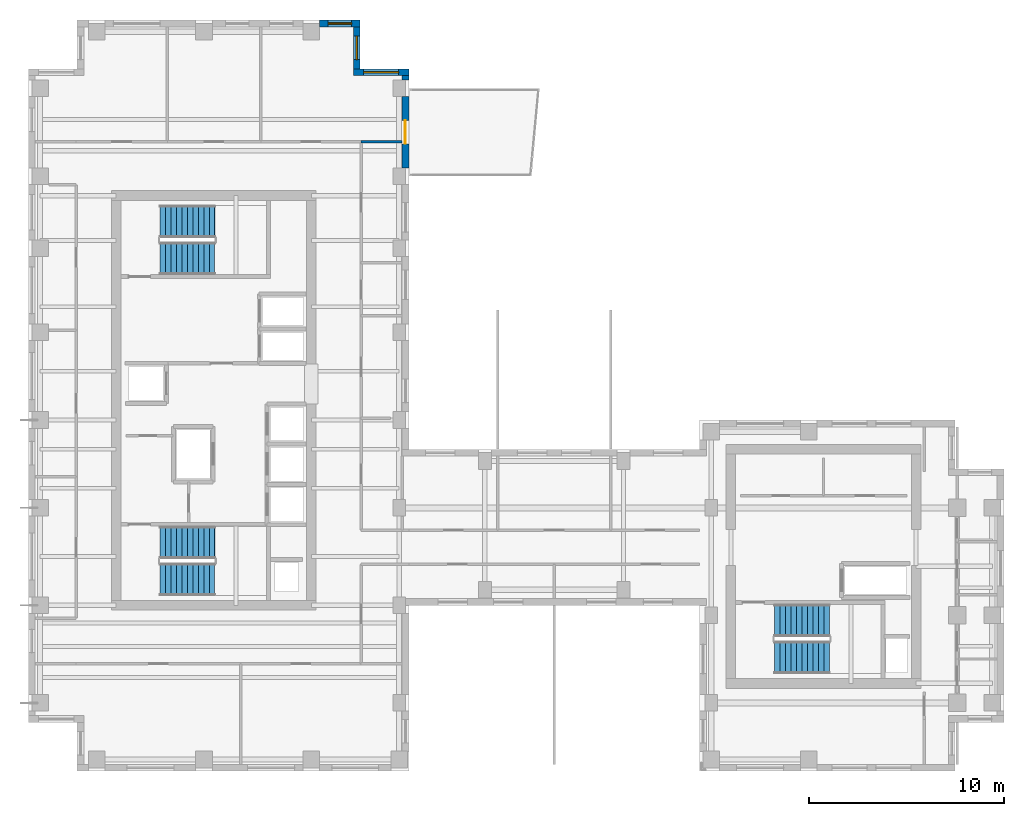
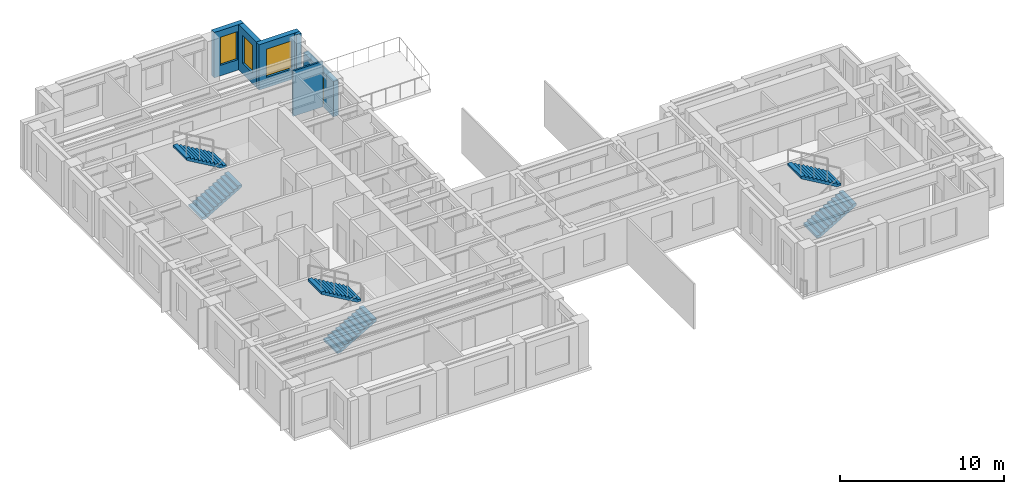
# One storey, part 8 of 10: 6 stair flights, 6 walls, 3 windows, 1 door, 4 openings, 3 elements without a shape of their own.
"""IFC4 building model written with IfcOpenShell, lengths in metres."""

import ifcopenshell
import ifcopenshell.guid

model = None  # the IFC model being written
_history = None  # IfcOwnerHistory: only IFC2X3 demands one
_inside = {}  # id of a spatial element -> (the spatial element, [elements in it])
_under = {}  # id of a project, library or spatial element -> (it, [spatial elements below it])
_declared = {}  # id of a project -> (the project, [libraries it declares])
_typed = {}  # id of a type object -> (the type object, [elements of that type])
_made_of = {}  # id of a material, layer set ... -> (it, [elements and type objects made of it])


def new_model(schema):
    """Start an empty IFC model of exactly this schema.

    Asked for "IFC4X3", IfcOpenShell would pick the latest addendum, in which some entities
    have other attributes; the version numbers below select the first issue.
    IFC2X3 requires an IfcOwnerHistory on every rooted entity: one is made here for all.
    """
    global model, _history
    if schema == "IFC4X3":
        model = ifcopenshell.file(schema_version=(4, 3, 0, 0))
    else:
        model = ifcopenshell.file(schema=schema)
    _inside.clear()
    _under.clear()
    _declared.clear()
    _typed.clear()
    _made_of.clear()
    _history = None
    if model.schema == "IFC2X3":
        org = make("IfcOrganization", Name="unknown")
        user = make(
            "IfcPersonAndOrganization",
            ThePerson=make("IfcPerson", FamilyName="unknown"),
            TheOrganization=org,
        )
        app = make(
            "IfcApplication",
            ApplicationDeveloper=org,
            Version="unknown",
            ApplicationFullName="unknown",
            ApplicationIdentifier="unknown",
        )
        _history = make(
            "IfcOwnerHistory",
            OwningUser=user,
            OwningApplication=app,
            ChangeAction="ADDED",
            CreationDate=0,
        )
    return model


def make(cls, **values):
    """One entity of the class cls with the attributes given. An attribute that is None is left unset."""
    return model.create_entity(
        cls, **{name: value for name, value in values.items() if value is not None}
    )


def rooted(cls, **values):
    """An entity with a GlobalId (a new one), such as an element, a storey or a relation."""
    return make(cls, GlobalId=ifcopenshell.guid.new(), OwnerHistory=_history, **values)


def si_unit(unit_type, name, prefix=None):
    """IfcSIUnit, for example si_unit("LENGTHUNIT", "METRE", prefix="MILLI")."""
    return make("IfcSIUnit", UnitType=unit_type, Prefix=prefix, Name=name)


def assignment(units):
    """IfcUnitAssignment: the units of a project."""
    return None if units is None else make("IfcUnitAssignment", Units=units)


def point(xyz):
    """IfcCartesianPoint."""
    return None if xyz is None else make("IfcCartesianPoint", Coordinates=xyz)


def direction(xyz):
    """IfcDirection."""
    return None if xyz is None else make("IfcDirection", DirectionRatios=xyz)


def frame(location, z_axis=None, x_axis=None):
    """IfcAxis2Placement3D, a coordinate frame: its origin and axes. An axis left out is left unset."""
    return make(
        "IfcAxis2Placement3D",
        Location=point(location),
        Axis=direction(z_axis),
        RefDirection=direction(x_axis),
    )


def frame_2d(location, x_axis=None):
    """IfcAxis2Placement2D, a coordinate frame in the plane: its origin and x axis."""
    return make(
        "IfcAxis2Placement2D", Location=point(location), RefDirection=direction(x_axis)
    )


def origin():
    """The frame at (0, 0, 0) with its axes left unset."""
    return frame((0.0, 0.0, 0.0))


def place(relative_to, where):
    """IfcLocalPlacement: puts the frame where relative to a parent placement (None: the world)."""
    return make(
        "IfcLocalPlacement", PlacementRelTo=relative_to, RelativePlacement=where
    )


def context(
    kind, dimensions, precision=None, world=None, true_north=None, identifier=None
):
    """IfcGeometricRepresentationContext, for example the 3D "Model" context."""
    return make(
        "IfcGeometricRepresentationContext",
        ContextIdentifier=identifier,
        ContextType=kind,
        CoordinateSpaceDimension=dimensions,
        Precision=precision,
        WorldCoordinateSystem=world,
        TrueNorth=true_north,
    )


def subcontext(parent, identifier, kind, view, scale=None):
    """IfcGeometricRepresentationSubContext, for example "Body" below "Model"."""
    return make(
        "IfcGeometricRepresentationSubContext",
        ContextIdentifier=identifier,
        ContextType=kind,
        ParentContext=parent,
        TargetScale=scale,
        TargetView=view,
    )


def project(units=None, contexts=None):
    """IfcProject with its units and contexts."""
    return rooted(
        "IfcProject",
        Name="project",
        RepresentationContexts=contexts,
        UnitsInContext=assignment(units),
    )


def spatial(cls, under=None, at=None, **own):
    """A site, building, storey or space (cls), placed at a placement, below another one or the project."""
    s = rooted(cls, ObjectPlacement=at, **own)
    if under is not None:
        _under.setdefault(under.id(), (under, []))[1].append(s)
    return s


def polyline(points):
    """IfcPolyline through the points."""
    return make("IfcPolyline", Points=[point(p) for p in points])


def profile(cls, at=None, kind="AREA", **sizes):
    """A parametric profile (cls). Its sizes go by their IFC names, for example OverallWidth=200.0."""
    return make(cls, ProfileType=kind, Position=at, **sizes)


def rectangle(**sizes):
    """IfcRectangleProfileDef."""
    return profile("IfcRectangleProfileDef", **sizes)


def outline(outer, holes=None, kind="AREA"):
    """IfcArbitraryClosedProfileDef: a profile drawn as a closed curve; with holes, ...WithVoids."""
    if holes is None:
        return make("IfcArbitraryClosedProfileDef", ProfileType=kind, OuterCurve=outer)
    return make(
        "IfcArbitraryProfileDefWithVoids",
        ProfileType=kind,
        OuterCurve=outer,
        InnerCurves=holes,
    )


def extrude(swept, where, along, depth):
    """IfcExtrudedAreaSolid: the profile swept, set in the frame where, extruded along a direction by depth."""
    return make(
        "IfcExtrudedAreaSolid",
        SweptArea=swept,
        Position=where,
        ExtrudedDirection=direction(along),
        Depth=depth,
    )


def shape(context_of_items, identifier, shape_type, items):
    """IfcShapeRepresentation: the items that make up one representation, for example the "Body"."""
    return make(
        "IfcShapeRepresentation",
        ContextOfItems=context_of_items,
        RepresentationIdentifier=identifier,
        RepresentationType=shape_type,
        Items=items,
    )


def source(mapping_origin, context_of_items, identifier, shape_type, items):
    """IfcRepresentationMap: a shape defined once, which mapped items show again and again."""
    return make(
        "IfcRepresentationMap",
        MappingOrigin=mapping_origin,
        MappedRepresentation=shape(context_of_items, identifier, shape_type, items),
    )


def transform(
    local_origin,
    x_axis=None,
    y_axis=None,
    z_axis=None,
    scale=None,
    scale2=None,
    scale3=None,
    uniform=True,
):
    """IfcCartesianTransformationOperator3D, or its non-uniform kind. x_axis, y_axis, z_axis: its Axis1, 2, 3."""
    if uniform:
        return make(
            "IfcCartesianTransformationOperator3D",
            Axis1=direction(x_axis),
            Axis2=direction(y_axis),
            LocalOrigin=point(local_origin),
            Scale=scale,
            Axis3=direction(z_axis),
        )
    return make(
        "IfcCartesianTransformationOperator3DnonUniform",
        Axis1=direction(x_axis),
        Axis2=direction(y_axis),
        LocalOrigin=point(local_origin),
        Scale=scale,
        Axis3=direction(z_axis),
        Scale2=scale2,
        Scale3=scale3,
    )


def mapped(mapping_source, mapping_target):
    """IfcMappedItem: shows the shape of a source again, moved by a transform."""
    return make(
        "IfcMappedItem", MappingSource=mapping_source, MappingTarget=mapping_target
    )


def material(Name=None, Category=None):
    """IfcMaterial."""
    return make("IfcMaterial", Name=Name, Category=Category)


def layer(
    of_material, thickness, ventilated=None, Name=None, Category=None, Priority=None
):
    """IfcMaterialLayer: one layer of a wall or slab, of a material (None: an air gap)."""
    return make(
        "IfcMaterialLayer",
        Material=of_material,
        LayerThickness=thickness,
        IsVentilated=ventilated,
        Name=Name,
        Category=Category,
        Priority=Priority,
    )


def layer_set(layers, Name=None):
    """IfcMaterialLayerSet."""
    return make("IfcMaterialLayerSet", MaterialLayers=layers, LayerSetName=Name)


def made_of(thing, what):
    """Note that an element or type object is made of a material, layer set ...; save() writes the relation."""
    if what is not None:
        _made_of.setdefault(what.id(), (what, []))[1].append(thing)
    return thing


def type_object(cls, material=None, **own):
    """A type object (cls), such as IfcWallType, which elements share."""
    return made_of(rooted(cls, **own), material)


def element(
    cls,
    number,
    at=None,
    inside=None,
    cuts=None,
    type_object=None,
    material=None,
    context=None,
    identifier="Body",
    shape_type=None,
    held_by="IfcProductDefinitionShape",
    body=None,
    shapes=None,
    **own,
):
    """One element of the class cls, such as IfcWall. Its Tag is "e" and its number.

    at: its placement. inside: the storey or other place that contains it. cuts: it is an
    opening in that element (IfcRelVoidsElement). A single representation is given by context,
    identifier, shape_type and body (its items); several are given by shapes. held_by: the class
    of the entity that holds the representations. save() writes the other relations.
    """
    e = rooted(cls, Tag="e%d" % number, ObjectPlacement=at, **own)
    if body is not None:
        shapes = [shape(context, identifier, shape_type, body)]
    if shapes is not None:
        e.Representation = make(held_by, Representations=shapes)
    if inside is not None:
        _inside.setdefault(inside.id(), (inside, []))[1].append(e)
    if cuts is not None:
        rooted(
            "IfcRelVoidsElement", RelatingBuildingElement=cuts, RelatedOpeningElement=e
        )
    if type_object is not None:
        _typed.setdefault(type_object.id(), (type_object, []))[1].append(e)
    return made_of(e, material)


def fill(opening, filler):
    """IfcRelFillsElement: the door or window that sits in an opening."""
    return rooted(
        "IfcRelFillsElement",
        RelatingOpeningElement=opening,
        RelatedBuildingElement=filler,
    )


def aggregate(whole, parts):
    """IfcRelAggregates: a whole, such as a stair, and the parts it consists of."""
    return rooted("IfcRelAggregates", RelatingObject=whole, RelatedObjects=parts)


def save(model, path):
    """Write the relations noted so far, then the file.

    IfcRelAggregates (storeys below a building ...), IfcRelContainedInSpatialStructure (elements
    in a storey), IfcRelDefinesByType, IfcRelAssociatesMaterial and IfcRelDeclares: one each for
    every whole, place, type object, material and project.
    """
    for whole, parts in _under.values():
        aggregate(whole, parts)
    for where, things in _inside.values():
        rooted(
            "IfcRelContainedInSpatialStructure",
            RelatedElements=things,
            RelatingStructure=where,
        )
    for kind, things in _typed.values():
        rooted("IfcRelDefinesByType", RelatedObjects=things, RelatingType=kind)
    for what, things in _made_of.values():
        rooted("IfcRelAssociatesMaterial", RelatedObjects=things, RelatingMaterial=what)
    for by, libraries in _declared.values():
        rooted("IfcRelDeclares", RelatingContext=by, RelatedDefinitions=libraries)
    model.write(path)


model = new_model("IFC4")

# Units and contexts
model_context = context("Model", 3, precision=1e-05, world=origin(), true_north=direction((0.0, 1.0)))
body_context = subcontext(model_context, "Body", "Model", "MODEL_VIEW")
ifc_project = project(units=[si_unit("LENGTHUNIT", "METRE"), si_unit("AREAUNIT", "SQUARE_METRE"), si_unit("VOLUMEUNIT", "CUBIC_METRE"), si_unit("PLANEANGLEUNIT", "RADIAN"), si_unit("MASSUNIT", "GRAM", prefix="KILO")], contexts=[model_context])

# Site, building, storey
site_placement = place(None, origin())
site = spatial("IfcSite", under=ifc_project, at=site_placement, CompositionType="ELEMENT")
building_placement = place(site_placement, origin())
building = spatial("IfcBuilding", under=site, at=building_placement, Name="Kharzan Plaza Tower", CompositionType="ELEMENT")
storey_placement = place(building_placement, frame((0.0, 0.0, 237.60009765625)))
storey = spatial("IfcBuildingStorey", under=building, at=storey_placement, Name="L64", CompositionType="ELEMENT", Elevation=237.60009765625)

# Wall, opening, door
ifc_material_1 = material(Name="Concrete C40/50", Category="concrete")
ifc_layer_1 = layer(ifc_material_1, 0.35009765625)
ifc_layer_set_1 = layer_set([ifc_layer_1], Name="Concrete C40/50")
wall_type_1 = type_object("IfcWallType", Name="WL-EXT-MAS-Z4", PredefinedType="SOLIDWALL", material=ifc_layer_set_1)
wall_1_placement = place(storey_placement, frame((19.324951171875, 30.923095703125, 0.0), z_axis=(0.0, 0.0, 1.0), x_axis=(0.0, 1.0, 0.0)))
wall_1 = element("IfcWall", 1, at=wall_1_placement, inside=storey, type_object=wall_type_1, Name="L64 Masonry-Frame Exterior Wall 05", PredefinedType="SOLIDWALL", context=body_context, shape_type="SweptSolid", body=[
    extrude(rectangle(XDim=3.65380859375, YDim=0.35009765625, at=frame_2d((1.826904296875, 0.0))), origin(), (0.0, 0.0, 1.0), 2.618896484375),
])
opening_1_placement = place(wall_1_placement, frame((1.22705078125, 0.0, 0.0)))
opening_1 = element("IfcOpeningElement", 2, at=opening_1_placement, cuts=wall_1, Name="Opening ED3", PredefinedType="OPENING", context=body_context, shape_type="SweptSolid", body=[
    extrude(rectangle(XDim=1.199951171875, YDim=2.14990234375, at=frame_2d((0.60009765625, 1.074951171875))), frame((0.0, 0.18505859375, 0.0), z_axis=(0.0, -1.0, 0.0), x_axis=(1.0, 0.0, 0.0)), (0.0, 0.0, 1.0), 0.3701171875),
])
ifc_material_2 = material(Name="Thermally Broken Anodized Bronze Aluminium", Category="aluminium")
door_type = type_object("IfcDoorType", Name="DR-EXT-TRAY-1200", OperationType="SINGLE_SWING_LEFT", PredefinedType="DOOR", material=ifc_material_2)
shared_shape_1 = source(origin(), body_context, "Body", "SweptSolid", [
    extrude(rectangle(XDim=1.199951171875, YDim=2.14990234375, at=frame_2d((0.60009765625, 1.074951171875))), frame((0.0, 0.02490234375, 0.0), z_axis=(0.0, -1.0, 0.0), x_axis=(1.0, 0.0, 0.0)), (0.0, 0.0, 1.0), 0.050048828125),
])
door_placement = place(opening_1_placement, frame((1.199951171875, 0.0, 0.0), z_axis=(0.0, 0.0, 1.0), x_axis=(-1.0, 0.0, 0.0)))
door = element("IfcDoor", 3, at=door_placement, inside=storey, type_object=door_type, Name="L64 Cantilevered Sky-Terrace Tray Access Door", OperationType="SINGLE_SWING_LEFT", OverallHeight=2.14990234375, OverallWidth=1.199951171875, PredefinedType="DOOR", context=body_context, shape_type="MappedRepresentation", body=[
    mapped(shared_shape_1, transform((0.0, 0.0, 0.0), x_axis=(1.0, 0.0, 0.0), y_axis=(0.0, 1.0, 0.0), z_axis=(0.0, 0.0, 1.0))),
])
fill(opening_1, door)

# Wall, opening, window
wall_2_placement = place(storey_placement, frame((19.5, 35.824951171875, 0.0), z_axis=(0.0, 0.0, 1.0), x_axis=(-1.0, 0.0, 0.0)))
wall_2 = element("IfcWall", 4, at=wall_2_placement, inside=storey, type_object=wall_type_1, Name="L64 Masonry-Frame Exterior Wall 07", PredefinedType="SOLIDWALL", context=body_context, shape_type="SweptSolid", body=[
    extrude(rectangle(XDim=2.85009765625, YDim=0.35009765625, at=frame_2d((1.425048828125, 0.0))), origin(), (0.0, 0.0, 1.0), 3.385009765625),
])
opening_2_placement = place(wall_2_placement, frame((0.52490234375, 0.0, 0.780029296875)))
opening_2 = element("IfcOpeningElement", 5, at=opening_2_placement, cuts=wall_2, Name="Opening W1", PredefinedType="OPENING", context=body_context, shape_type="SweptSolid", body=[
    extrude(rectangle(XDim=1.800048828125, YDim=2.10009765625, at=frame_2d((0.89990234375, 1.050048828125))), frame((0.0, 0.18505859375, 0.0), z_axis=(0.0, -1.0, 0.0), x_axis=(1.0, 0.0, 0.0)), (0.0, 0.0, 1.0), 0.3701171875),
])
ifc_material_3 = material(Name="Low-E Double Glazing", Category="glass")
window_type_1 = type_object("IfcWindowType", Name="WN-REC-1800x2100", PartitioningType="SINGLE_PANEL", PredefinedType="WINDOW", material=ifc_material_3)
shared_shape_2 = source(origin(), body_context, "Body", "SweptSolid", [
    extrude(rectangle(XDim=1.800048828125, YDim=2.10009765625, at=frame_2d((0.89990234375, 1.050048828125))), frame((0.0, 0.030029296875, 0.0), z_axis=(0.0, -1.0, 0.0), x_axis=(1.0, 0.0, 0.0)), (0.0, 0.0, 1.0), 0.06005859375),
])
window_1_placement = place(opening_2_placement, origin())
window_1 = element("IfcWindow", 6, at=window_1_placement, inside=storey, type_object=window_type_1, Name="L64 Recessed Solar-Control Window 07-1", OverallHeight=2.10009765625, OverallWidth=1.800048828125, PartitioningType="SINGLE_PANEL", PredefinedType="WINDOW", context=body_context, shape_type="MappedRepresentation", body=[
    mapped(shared_shape_2, transform((0.0, 0.0, 0.0), x_axis=(1.0, 0.0, 0.0), y_axis=(0.0, 1.0, 0.0), z_axis=(0.0, 0.0, 1.0))),
])
fill(opening_2, window_1)

wall_3_placement = place(storey_placement, frame((16.824951171875, 35.998046875, 0.0), z_axis=(0.0, 0.0, 1.0), x_axis=(0.0, 1.0, 0.0)))
wall_3 = element("IfcWall", 7, at=wall_3_placement, inside=storey, type_object=wall_type_1, Name="L64 Masonry-Frame Exterior Wall 08", PredefinedType="SOLIDWALL", context=body_context, shape_type="SweptSolid", body=[
    extrude(rectangle(XDim=2.154052734375, YDim=0.35009765625, at=frame_2d((1.0771484375, 0.0))), origin(), (0.0, 0.0, 1.0), 3.385009765625),
])
opening_3_placement = place(wall_3_placement, frame((0.47705078125, 0.0, 0.780029296875)))
opening_3 = element("IfcOpeningElement", 8, at=opening_3_placement, cuts=wall_3, Name="Opening W3", PredefinedType="OPENING", context=body_context, shape_type="SweptSolid", body=[
    extrude(rectangle(XDim=1.199951171875, YDim=2.10009765625, at=frame_2d((0.60009765625, 1.050048828125))), frame((0.0, 0.18505859375, 0.0), z_axis=(0.0, -1.0, 0.0), x_axis=(1.0, 0.0, 0.0)), (0.0, 0.0, 1.0), 0.3701171875),
])
window_type_2 = type_object("IfcWindowType", Name="WN-REC-1200x2100", PartitioningType="SINGLE_PANEL", PredefinedType="WINDOW", material=ifc_material_3)
shared_shape_3 = source(origin(), body_context, "Body", "SweptSolid", [
    extrude(rectangle(XDim=1.199951171875, YDim=2.10009765625, at=frame_2d((0.60009765625, 1.050048828125))), frame((0.0, 0.030029296875, 0.0), z_axis=(0.0, -1.0, 0.0), x_axis=(1.0, 0.0, 0.0)), (0.0, 0.0, 1.0), 0.06005859375),
])
window_2_placement = place(opening_3_placement, origin())
window_2 = element("IfcWindow", 9, at=window_2_placement, inside=storey, type_object=window_type_2, Name="L64 Recessed Solar-Control Window 08-1", OverallHeight=2.10009765625, OverallWidth=1.199951171875, PartitioningType="SINGLE_PANEL", PredefinedType="WINDOW", context=body_context, shape_type="MappedRepresentation", body=[
    mapped(shared_shape_3, transform((0.0, 0.0, 0.0), x_axis=(1.0, 0.0, 0.0), y_axis=(0.0, 1.0, 0.0), z_axis=(0.0, 0.0, 1.0))),
])
fill(opening_3, window_2)

wall_4_placement = place(storey_placement, frame((17.0, 38.324951171875, 0.0), z_axis=(0.0, 0.0, 1.0), x_axis=(-1.0, 0.0, 0.0)))
wall_4 = element("IfcWall", 10, at=wall_4_placement, inside=storey, type_object=wall_type_1, Name="L64 Masonry-Frame Exterior Wall 09", PredefinedType="SOLIDWALL", context=body_context, shape_type="SweptSolid", body=[
    extrude(rectangle(XDim=2.076904296875, YDim=0.35009765625, at=frame_2d((1.03857421875, 0.0))), origin(), (0.0, 0.0, 1.0), 3.385009765625),
])
opening_4_placement = place(wall_4_placement, frame((0.4384765625, 0.0, 0.780029296875)))
opening_4 = element("IfcOpeningElement", 11, at=opening_4_placement, cuts=wall_4, Name="Opening W3", PredefinedType="OPENING", context=body_context, shape_type="SweptSolid", body=[
    extrude(rectangle(XDim=1.199951171875, YDim=2.10009765625, at=frame_2d((0.60009765625, 1.050048828125))), frame((0.0, 0.18505859375, 0.0), z_axis=(0.0, -1.0, 0.0), x_axis=(1.0, 0.0, 0.0)), (0.0, 0.0, 1.0), 0.3701171875),
])
window_3_placement = place(opening_4_placement, origin())
window_3 = element("IfcWindow", 12, at=window_3_placement, inside=storey, type_object=window_type_2, Name="L64 Recessed Solar-Control Window 09-1", OverallHeight=2.10009765625, OverallWidth=1.199951171875, PartitioningType="SINGLE_PANEL", PredefinedType="WINDOW", context=body_context, shape_type="MappedRepresentation", body=[
    mapped(shared_shape_3, transform((0.0, 0.0, 0.0), x_axis=(1.0, 0.0, 0.0), y_axis=(0.0, 1.0, 0.0), z_axis=(0.0, 0.0, 1.0))),
])
fill(opening_4, window_3)

# Walls
ifc_material_4 = material(Name="Fire-Rated Gypsum Board Partition", Category="gypsum")
ifc_layer_2 = layer(ifc_material_4, 0.125)
ifc_layer_set_2 = layer_set([ifc_layer_2], Name="Fire-Rated Gypsum Board Partition")
wall_type_2 = type_object("IfcWallType", Name="WL-INT-PART-125", PredefinedType="PARTITIONING", material=ifc_layer_set_2)
shared_shape_4 = source(origin(), body_context, "Body", "SweptSolid", [
    extrude(rectangle(XDim=2.097900390625, YDim=0.125, at=frame_2d((1.048828125, 0.0))), origin(), (0.0, 0.0, 1.0), 3.385009765625),
])
wall_5_placement = place(storey_placement, frame((17.050048828125, 32.25, 0.0), z_axis=(0.0, 0.0, 1.0), x_axis=(1.0, 0.0, 0.0)))
element("IfcWall", 13, at=wall_5_placement, inside=storey, type_object=wall_type_2, Name="L64 Interior Partition SH-NNE0", PredefinedType="PARTITIONING", context=body_context, shape_type="MappedRepresentation", body=[
    mapped(shared_shape_4, transform((0.0, 0.0, 0.0), x_axis=(1.0, 0.0, 0.0), y_axis=(0.0, 1.0, 0.0), z_axis=(0.0, 0.0, 1.0))),
])
shared_shape_5 = source(origin(), body_context, "Body", "SweptSolid", [
    extrude(rectangle(XDim=0.22900390625, YDim=0.35009765625, at=frame_2d((0.114501953125, 0.0))), origin(), (0.0, 0.0, 1.0), 3.385009765625),
])
wall_6_placement = place(storey_placement, frame((19.324951171875, 35.423095703125, 0.0), z_axis=(0.0, 0.0, 1.0), x_axis=(0.0, 1.0, 0.0)))
element("IfcWall", 14, at=wall_6_placement, inside=storey, type_object=wall_type_1, Name="L64 Masonry-Frame Exterior Wall 06", PredefinedType="SOLIDWALL", context=body_context, shape_type="MappedRepresentation", body=[
    mapped(shared_shape_5, transform((0.0, 0.0, 0.0), x_axis=(1.0, 0.0, 0.0), y_axis=(0.0, 1.0, 0.0), z_axis=(0.0, 0.0, 1.0))),
])

# Stair, stair flights
stair_type_1 = type_object("IfcStairType", Name="STR-ST-1", PredefinedType="HALF_TURN_STAIR", material=ifc_material_1)
stair_1_placement = place(storey_placement, origin())
stair_1 = element("IfcStair", 15, at=stair_1_placement, inside=storey, type_object=stair_type_1, Name="L64 Protected Exit Stair ST-1", PredefinedType="HALF_TURN_STAIR")
stair_flight_type = type_object("IfcStairFlightType", Name="SFL-1650-R173", PredefinedType="STRAIGHT", material=ifc_material_1)
shared_shape_6 = source(origin(), body_context, "Body", "SweptSolid", [
    extrude(outline(polyline([(-0.0029296875, -0.011962890625), (-0.0029296875, 0.0), (0.0, 0.0), (0.0, 0.16357421875), (0.280029296875, 0.16357421875), (0.280029296875, 0.3271484375), (0.56005859375, 0.3271484375), (0.56005859375, 0.49072265625), (0.840087890625, 0.49072265625), (0.840087890625, 0.654296875), (1.1201171875, 0.654296875), (1.1201171875, 0.81787109375), (1.400146484375, 0.81787109375), (1.400146484375, 0.9814453125), (1.68017578125, 0.9814453125), (1.68017578125, 1.14501953125), (1.960205078125, 1.14501953125), (1.960205078125, 1.30859375), (2.240234375, 1.30859375), (2.240234375, 1.47216796875), (2.520263671875, 1.47216796875), (2.520263671875, 1.6357421875), (2.80029296875, 1.6357421875), (2.80029296875, 1.79931640625), (2.80029296875, 1.462158203125), (0.297119140625, 0.0), (0.297119140625, -0.011962890625), (-0.0029296875, -0.011962890625)])), frame((0.0, 0.824951171875, 0.0), z_axis=(0.0, -1.0, 0.0), x_axis=(1.0, 0.0, 0.0)), (0.0, 0.0, 1.0), 1.64990234375),
])
stair_flight_1_placement = place(storey_placement, frame((6.75, 9.824951171875, 0.0), z_axis=(0.0, 0.0, 1.0), x_axis=(1.0, 0.0, 0.0)))
stair_flight_1 = element("IfcStairFlight", 16, at=stair_flight_1_placement, type_object=stair_flight_type, Name="ST-1 flight 1", NumberOfRisers=11, NumberOfTreads=10, PredefinedType="STRAIGHT", RiserHeight=0.163636364, TreadLength=0.28, context=body_context, shape_type="MappedRepresentation", body=[
    mapped(shared_shape_6, transform((0.0, 0.0, 0.0), x_axis=(1.0, 0.0, 0.0), y_axis=(0.0, 1.0, 0.0), z_axis=(0.0, 0.0, 1.0))),
])
stair_flight_2_placement = place(storey_placement, frame((9.550048828125, 11.72509765625, 1.7998046875), z_axis=(0.0, 0.0, 1.0), x_axis=(-1.0, 0.0, 0.0)))
stair_flight_2 = element("IfcStairFlight", 17, at=stair_flight_2_placement, type_object=stair_flight_type, Name="ST-1 flight 2", NumberOfRisers=11, NumberOfTreads=10, PredefinedType="STRAIGHT", RiserHeight=0.163636364, TreadLength=0.28, context=body_context, shape_type="MappedRepresentation", body=[
    mapped(shared_shape_6, transform((0.0, 0.0, 0.0), x_axis=(1.0, 0.0, 0.0), y_axis=(0.0, 1.0, 0.0), z_axis=(0.0, 0.0, 1.0))),
])
aggregate(stair_1, [stair_flight_1, stair_flight_2])

stair_type_2 = type_object("IfcStairType", Name="STR-ST-2", PredefinedType="HALF_TURN_STAIR", material=ifc_material_1)
stair_2_placement = place(storey_placement, origin())
stair_2 = element("IfcStair", 18, at=stair_2_placement, inside=storey, type_object=stair_type_2, Name="L64 Protected Exit Stair ST-2", PredefinedType="HALF_TURN_STAIR")
stair_flight_3_placement = place(storey_placement, frame((6.75, 26.27490234375, 0.0), z_axis=(0.0, 0.0, 1.0), x_axis=(1.0, 0.0, 0.0)))
stair_flight_3 = element("IfcStairFlight", 19, at=stair_flight_3_placement, type_object=stair_flight_type, Name="ST-2 flight 1", NumberOfRisers=11, NumberOfTreads=10, PredefinedType="STRAIGHT", RiserHeight=0.163636364, TreadLength=0.28, context=body_context, shape_type="MappedRepresentation", body=[
    mapped(shared_shape_6, transform((0.0, 0.0, 0.0), x_axis=(1.0, 0.0, 0.0), y_axis=(0.0, 1.0, 0.0), z_axis=(0.0, 0.0, 1.0))),
])
stair_flight_4_placement = place(storey_placement, frame((9.550048828125, 28.175048828125, 1.7998046875), z_axis=(0.0, 0.0, 1.0), x_axis=(-1.0, 0.0, 0.0)))
stair_flight_4 = element("IfcStairFlight", 20, at=stair_flight_4_placement, type_object=stair_flight_type, Name="ST-2 flight 2", NumberOfRisers=11, NumberOfTreads=10, PredefinedType="STRAIGHT", RiserHeight=0.163636364, TreadLength=0.28, context=body_context, shape_type="MappedRepresentation", body=[
    mapped(shared_shape_6, transform((0.0, 0.0, 0.0), x_axis=(1.0, 0.0, 0.0), y_axis=(0.0, 1.0, 0.0), z_axis=(0.0, 0.0, 1.0))),
])
aggregate(stair_2, [stair_flight_3, stair_flight_4])

stair_type_3 = type_object("IfcStairType", Name="STR-ST-3", PredefinedType="HALF_TURN_STAIR", material=ifc_material_1)
stair_3_placement = place(storey_placement, origin())
stair_3 = element("IfcStair", 21, at=stair_3_placement, inside=storey, type_object=stair_type_3, Name="L64 Protected Exit Stair ST-3", PredefinedType="HALF_TURN_STAIR")
stair_flight_5_placement = place(storey_placement, frame((38.25, 5.824951171875, 0.0), z_axis=(0.0, 0.0, 1.0), x_axis=(1.0, 0.0, 0.0)))
stair_flight_5 = element("IfcStairFlight", 22, at=stair_flight_5_placement, type_object=stair_flight_type, Name="ST-3 flight 1", NumberOfRisers=11, NumberOfTreads=10, PredefinedType="STRAIGHT", RiserHeight=0.163636364, TreadLength=0.28, context=body_context, shape_type="MappedRepresentation", body=[
    mapped(shared_shape_6, transform((0.0, 0.0, 0.0), x_axis=(1.0, 0.0, 0.0), y_axis=(0.0, 1.0, 0.0), z_axis=(0.0, 0.0, 1.0))),
])
stair_flight_6_placement = place(storey_placement, frame((41.050048828125, 7.72509765625, 1.7998046875), z_axis=(0.0, 0.0, 1.0), x_axis=(-1.0, 0.0, 0.0)))
stair_flight_6 = element("IfcStairFlight", 23, at=stair_flight_6_placement, type_object=stair_flight_type, Name="ST-3 flight 2", NumberOfRisers=11, NumberOfTreads=10, PredefinedType="STRAIGHT", RiserHeight=0.163636364, TreadLength=0.28, context=body_context, shape_type="MappedRepresentation", body=[
    mapped(shared_shape_6, transform((0.0, 0.0, 0.0), x_axis=(1.0, 0.0, 0.0), y_axis=(0.0, 1.0, 0.0), z_axis=(0.0, 0.0, 1.0))),
])
aggregate(stair_3, [stair_flight_5, stair_flight_6])

save(model, "model.ifc")
